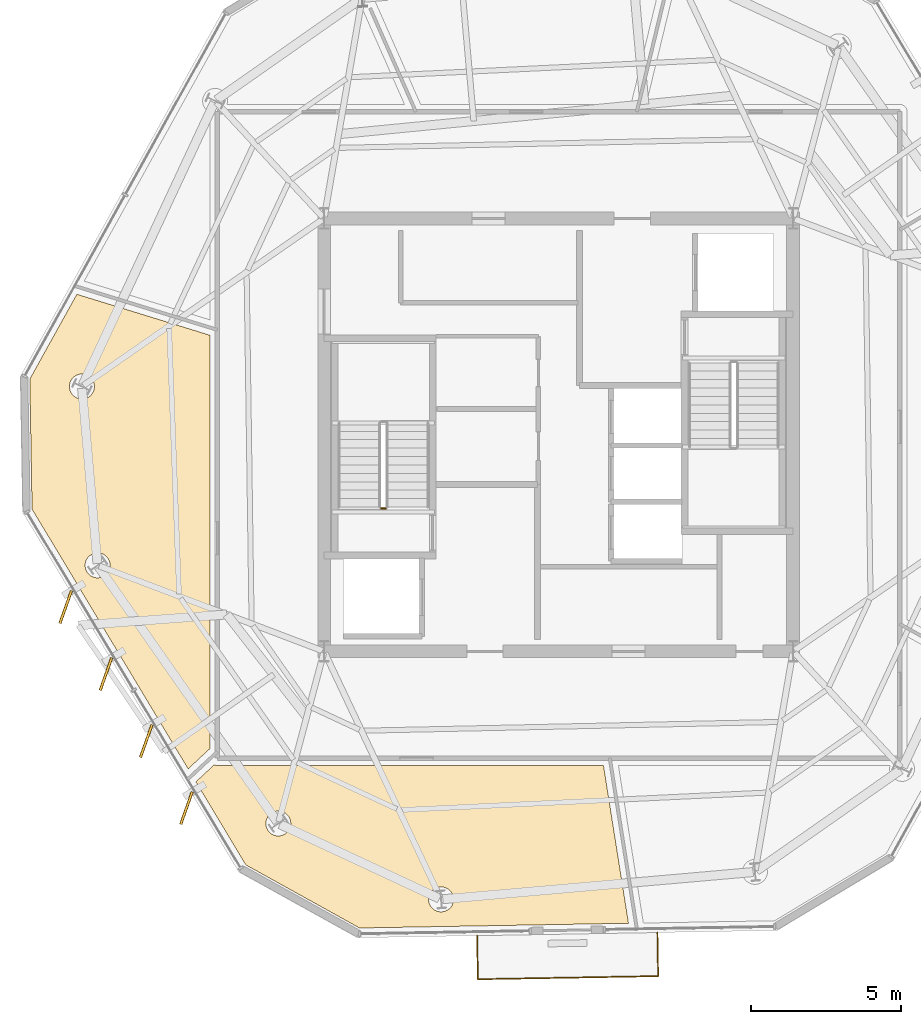
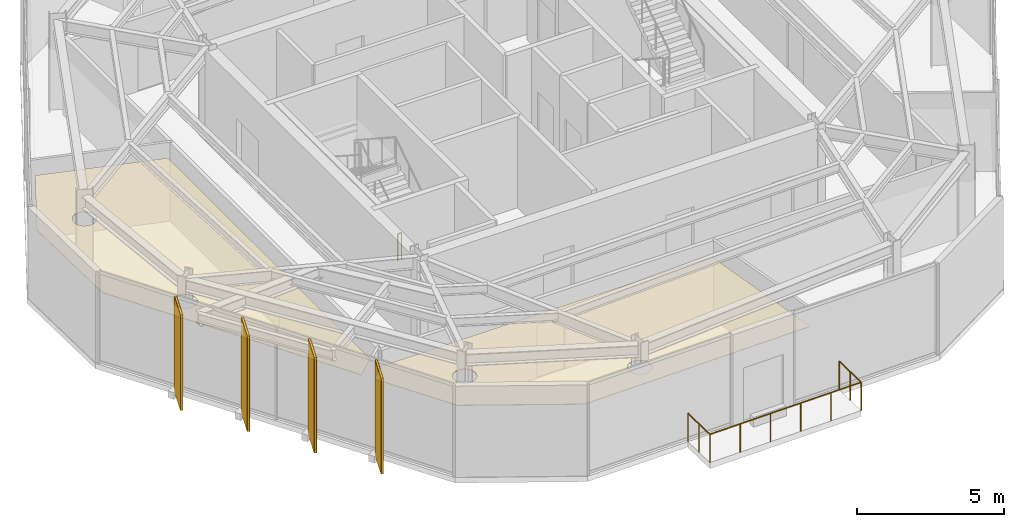
# One storey, part 9 of 12: 6 coverings, 4 shading devices, 2 railings.
"""IFC4 building model written with IfcOpenShell, lengths in metres."""

import ifcopenshell
import ifcopenshell.guid

model = None  # the IFC model being written
_history = None  # IfcOwnerHistory: only IFC2X3 demands one
_inside = {}  # id of a spatial element -> (the spatial element, [elements in it])
_under = {}  # id of a project, library or spatial element -> (it, [spatial elements below it])
_declared = {}  # id of a project -> (the project, [libraries it declares])
_typed = {}  # id of a type object -> (the type object, [elements of that type])
_made_of = {}  # id of a material, layer set ... -> (it, [elements and type objects made of it])


def new_model(schema):
    """Start an empty IFC model of exactly this schema.

    Asked for "IFC4X3", IfcOpenShell would pick the latest addendum, in which some entities
    have other attributes; the version numbers below select the first issue.
    IFC2X3 requires an IfcOwnerHistory on every rooted entity: one is made here for all.
    """
    global model, _history
    if schema == "IFC4X3":
        model = ifcopenshell.file(schema_version=(4, 3, 0, 0))
    else:
        model = ifcopenshell.file(schema=schema)
    _inside.clear()
    _under.clear()
    _declared.clear()
    _typed.clear()
    _made_of.clear()
    _history = None
    if model.schema == "IFC2X3":
        org = make("IfcOrganization", Name="unknown")
        user = make(
            "IfcPersonAndOrganization",
            ThePerson=make("IfcPerson", FamilyName="unknown"),
            TheOrganization=org,
        )
        app = make(
            "IfcApplication",
            ApplicationDeveloper=org,
            Version="unknown",
            ApplicationFullName="unknown",
            ApplicationIdentifier="unknown",
        )
        _history = make(
            "IfcOwnerHistory",
            OwningUser=user,
            OwningApplication=app,
            ChangeAction="ADDED",
            CreationDate=0,
        )
    return model


def make(cls, **values):
    """One entity of the class cls with the attributes given. An attribute that is None is left unset."""
    return model.create_entity(
        cls, **{name: value for name, value in values.items() if value is not None}
    )


def rooted(cls, **values):
    """An entity with a GlobalId (a new one), such as an element, a storey or a relation."""
    return make(cls, GlobalId=ifcopenshell.guid.new(), OwnerHistory=_history, **values)


def si_unit(unit_type, name, prefix=None):
    """IfcSIUnit, for example si_unit("LENGTHUNIT", "METRE", prefix="MILLI")."""
    return make("IfcSIUnit", UnitType=unit_type, Prefix=prefix, Name=name)


def assignment(units):
    """IfcUnitAssignment: the units of a project."""
    return None if units is None else make("IfcUnitAssignment", Units=units)


def point(xyz):
    """IfcCartesianPoint."""
    return None if xyz is None else make("IfcCartesianPoint", Coordinates=xyz)


def direction(xyz):
    """IfcDirection."""
    return None if xyz is None else make("IfcDirection", DirectionRatios=xyz)


def frame(location, z_axis=None, x_axis=None):
    """IfcAxis2Placement3D, a coordinate frame: its origin and axes. An axis left out is left unset."""
    return make(
        "IfcAxis2Placement3D",
        Location=point(location),
        Axis=direction(z_axis),
        RefDirection=direction(x_axis),
    )


def frame_2d(location, x_axis=None):
    """IfcAxis2Placement2D, a coordinate frame in the plane: its origin and x axis."""
    return make(
        "IfcAxis2Placement2D", Location=point(location), RefDirection=direction(x_axis)
    )


def origin():
    """The frame at (0, 0, 0) with its axes left unset."""
    return frame((0.0, 0.0, 0.0))


def origin_2d():
    """The frame at (0, 0) in the plane with its x axis left unset."""
    return frame_2d((0.0, 0.0))


def place(relative_to, where):
    """IfcLocalPlacement: puts the frame where relative to a parent placement (None: the world)."""
    return make(
        "IfcLocalPlacement", PlacementRelTo=relative_to, RelativePlacement=where
    )


def context(
    kind, dimensions, precision=None, world=None, true_north=None, identifier=None
):
    """IfcGeometricRepresentationContext, for example the 3D "Model" context."""
    return make(
        "IfcGeometricRepresentationContext",
        ContextIdentifier=identifier,
        ContextType=kind,
        CoordinateSpaceDimension=dimensions,
        Precision=precision,
        WorldCoordinateSystem=world,
        TrueNorth=true_north,
    )


def subcontext(parent, identifier, kind, view, scale=None):
    """IfcGeometricRepresentationSubContext, for example "Body" below "Model"."""
    return make(
        "IfcGeometricRepresentationSubContext",
        ContextIdentifier=identifier,
        ContextType=kind,
        ParentContext=parent,
        TargetScale=scale,
        TargetView=view,
    )


def project(units=None, contexts=None):
    """IfcProject with its units and contexts."""
    return rooted(
        "IfcProject",
        Name="project",
        RepresentationContexts=contexts,
        UnitsInContext=assignment(units),
    )


def spatial(cls, under=None, at=None, **own):
    """A site, building, storey or space (cls), placed at a placement, below another one or the project."""
    s = rooted(cls, ObjectPlacement=at, **own)
    if under is not None:
        _under.setdefault(under.id(), (under, []))[1].append(s)
    return s


def polyline(points):
    """IfcPolyline through the points."""
    return make("IfcPolyline", Points=[point(p) for p in points])


def profile(cls, at=None, kind="AREA", **sizes):
    """A parametric profile (cls). Its sizes go by their IFC names, for example OverallWidth=200.0."""
    return make(cls, ProfileType=kind, Position=at, **sizes)


def rectangle(**sizes):
    """IfcRectangleProfileDef."""
    return profile("IfcRectangleProfileDef", **sizes)


def circle(**sizes):
    """IfcCircleProfileDef."""
    return profile("IfcCircleProfileDef", **sizes)


def outline(outer, holes=None, kind="AREA"):
    """IfcArbitraryClosedProfileDef: a profile drawn as a closed curve; with holes, ...WithVoids."""
    if holes is None:
        return make("IfcArbitraryClosedProfileDef", ProfileType=kind, OuterCurve=outer)
    return make(
        "IfcArbitraryProfileDefWithVoids",
        ProfileType=kind,
        OuterCurve=outer,
        InnerCurves=holes,
    )


def extrude(swept, where, along, depth):
    """IfcExtrudedAreaSolid: the profile swept, set in the frame where, extruded along a direction by depth."""
    return make(
        "IfcExtrudedAreaSolid",
        SweptArea=swept,
        Position=where,
        ExtrudedDirection=direction(along),
        Depth=depth,
    )


def shape(context_of_items, identifier, shape_type, items):
    """IfcShapeRepresentation: the items that make up one representation, for example the "Body"."""
    return make(
        "IfcShapeRepresentation",
        ContextOfItems=context_of_items,
        RepresentationIdentifier=identifier,
        RepresentationType=shape_type,
        Items=items,
    )


def material(Name=None, Category=None):
    """IfcMaterial."""
    return make("IfcMaterial", Name=Name, Category=Category)


def layer(
    of_material, thickness, ventilated=None, Name=None, Category=None, Priority=None
):
    """IfcMaterialLayer: one layer of a wall or slab, of a material (None: an air gap)."""
    return make(
        "IfcMaterialLayer",
        Material=of_material,
        LayerThickness=thickness,
        IsVentilated=ventilated,
        Name=Name,
        Category=Category,
        Priority=Priority,
    )


def layer_set(layers, Name=None):
    """IfcMaterialLayerSet."""
    return make("IfcMaterialLayerSet", MaterialLayers=layers, LayerSetName=Name)


def made_of(thing, what):
    """Note that an element or type object is made of a material, layer set ...; save() writes the relation."""
    if what is not None:
        _made_of.setdefault(what.id(), (what, []))[1].append(thing)
    return thing


def type_object(cls, material=None, **own):
    """A type object (cls), such as IfcWallType, which elements share."""
    return made_of(rooted(cls, **own), material)


def element(
    cls,
    number,
    at=None,
    inside=None,
    cuts=None,
    type_object=None,
    material=None,
    context=None,
    identifier="Body",
    shape_type=None,
    held_by="IfcProductDefinitionShape",
    body=None,
    shapes=None,
    **own,
):
    """One element of the class cls, such as IfcWall. Its Tag is "e" and its number.

    at: its placement. inside: the storey or other place that contains it. cuts: it is an
    opening in that element (IfcRelVoidsElement). A single representation is given by context,
    identifier, shape_type and body (its items); several are given by shapes. held_by: the class
    of the entity that holds the representations. save() writes the other relations.
    """
    e = rooted(cls, Tag="e%d" % number, ObjectPlacement=at, **own)
    if body is not None:
        shapes = [shape(context, identifier, shape_type, body)]
    if shapes is not None:
        e.Representation = make(held_by, Representations=shapes)
    if inside is not None:
        _inside.setdefault(inside.id(), (inside, []))[1].append(e)
    if cuts is not None:
        rooted(
            "IfcRelVoidsElement", RelatingBuildingElement=cuts, RelatedOpeningElement=e
        )
    if type_object is not None:
        _typed.setdefault(type_object.id(), (type_object, []))[1].append(e)
    return made_of(e, material)


def aggregate(whole, parts):
    """IfcRelAggregates: a whole, such as a stair, and the parts it consists of."""
    return rooted("IfcRelAggregates", RelatingObject=whole, RelatedObjects=parts)


def save(model, path):
    """Write the relations noted so far, then the file.

    IfcRelAggregates (storeys below a building ...), IfcRelContainedInSpatialStructure (elements
    in a storey), IfcRelDefinesByType, IfcRelAssociatesMaterial and IfcRelDeclares: one each for
    every whole, place, type object, material and project.
    """
    for whole, parts in _under.values():
        aggregate(whole, parts)
    for where, things in _inside.values():
        rooted(
            "IfcRelContainedInSpatialStructure",
            RelatedElements=things,
            RelatingStructure=where,
        )
    for kind, things in _typed.values():
        rooted("IfcRelDefinesByType", RelatedObjects=things, RelatingType=kind)
    for what, things in _made_of.values():
        rooted("IfcRelAssociatesMaterial", RelatedObjects=things, RelatingMaterial=what)
    for by, libraries in _declared.values():
        rooted("IfcRelDeclares", RelatingContext=by, RelatedDefinitions=libraries)
    model.write(path)


model = new_model("IFC4")

# Units and contexts
model_context = context("Model", 3, precision=1e-05, world=origin(), true_north=direction((0.0, 1.0)))
body_context = subcontext(model_context, "Body", "Model", "MODEL_VIEW")
ifc_project = project(units=[si_unit("LENGTHUNIT", "METRE"), si_unit("AREAUNIT", "SQUARE_METRE"), si_unit("VOLUMEUNIT", "CUBIC_METRE"), si_unit("PLANEANGLEUNIT", "RADIAN"), si_unit("MASSUNIT", "GRAM", prefix="KILO")], contexts=[model_context])

# Site, building, storey
site_placement = place(None, origin())
site = spatial("IfcSite", under=ifc_project, at=site_placement, CompositionType="ELEMENT")
building_placement = place(site_placement, origin())
building = spatial("IfcBuilding", under=site, at=building_placement, Name="Kranzbogen Civic Tower", CompositionType="ELEMENT")
storey_placement = place(building_placement, frame((0.0, 0.0, 270.199951171875)))
storey = spatial("IfcBuildingStorey", under=building, at=storey_placement, Name="L65", CompositionType="ELEMENT", Elevation=270.199951171875)

# Coverings
ifc_material_1 = material(Name="Pale Anodised Aluminium", Category="aluminium")
ifc_layer_1 = layer(ifc_material_1, 0.02490234375, Name="Pale Anodised Aluminium")
ifc_layer_set_1 = layer_set([ifc_layer_1], Name="Pale Anodised Aluminium")
covering_type_1 = type_object("IfcCoveringType", Name="Anodised Aluminium Vertical Fin Cladding 25 mm", PredefinedType="CLADDING", material=ifc_layer_set_1)
for number, where, z_axis, x_axis, name in (
    (1, (8.60498046875, 19.27294921875, -0.139892578125), (0.0, 0.0, 1.0), (-0.334596447491, -0.942361510953, 0.0), "L65 vertical fin pale-metal cladding F3-1"),
    (2, (9.944091796875, 17.0439453125, -0.139892578125), (0.0, 0.0, 1.0), (-0.334596447491, -0.942361510953, 0.0), "L65 vertical fin pale-metal cladding F3-2"),
    (3, (11.283935546875, 14.81591796875, -0.139892578125), (0.0, 0.0, 1.0), (-0.334596447491, -0.942361510953, 0.0), "L65 vertical fin pale-metal cladding F3-3"),
    (4, (12.623046875, 12.5869140625, -0.139892578125), (0.0, 0.0, 1.0), (-0.334596447491, -0.942361510953, 0.0), "L65 vertical fin pale-metal cladding F3-4"),
):
    element("IfcCovering", number, at=place(storey_placement, frame(where, z_axis=z_axis, x_axis=x_axis)), inside=storey, type_object=covering_type_1, Name=name, PredefinedType="CLADDING", context=body_context, shape_type="SweptSolid", body=[
        extrude(rectangle(XDim=1.14990234375, YDim=0.094970703125, at=origin_2d()), origin(), (0.0, 0.0, 1.0), 3.9599609375),
    ])

# Railings
ifc_material_2 = material(Name="Anodised Bronze Aluminium", Category="aluminium")
railing_type_1 = type_object("IfcRailingType", Name="Cantilevered Balcony Glass and Bronze Balustrade 1200", PredefinedType="BALUSTRADE", material=ifc_material_2)
railing_1_placement = place(storey_placement, frame((22.2900390625, 8.342041015625, 0.0)))
element("IfcRailing", 5, at=railing_1_placement, inside=storey, type_object=railing_type_1, Name="L65 exterior terrace balustrade L65-TB1", PredefinedType="BALUSTRADE", context=body_context, shape_type="SweptSolid", body=[
    extrude(circle(Radius=0.02392578125, at=origin_2d()), frame((0.0, 0.0, 1.17578125), z_axis=(0.017172076107, -0.99985254903, 0.0), x_axis=(0.99985254903, 0.017172076107, 0.0)), (0.0, 0.0, 1.0), 1.4501953125),
    extrude(circle(Radius=0.02392578125, at=origin_2d()), frame((0.02490234375, -1.449951171875, 1.17578125), z_axis=(0.999849751445, 0.017334201291, 0.0), x_axis=(-0.017334201291, 0.999849751445, 0.0)), (0.0, 0.0, 1.0), 6.0),
    extrude(circle(Radius=0.02392578125, at=origin_2d()), frame((6.02392578125, -1.345947265625, 1.17578125), z_axis=(-0.017172076107, 0.99985254903, 0.0), x_axis=(-0.99985254903, -0.017172076107, 0.0)), (0.0, 0.0, 1.0), 1.4501953125),
    extrude(circle(Radius=0.02099609375, at=origin_2d()), origin(), (0.0, 0.0, 1.0), 1.15185546875),
    extrude(circle(Radius=0.02099609375, at=origin_2d()), frame((0.012451171875, -0.72509765625, 0.0)), (0.0, 0.0, 1.0), 1.15185546875),
    extrude(circle(Radius=0.02099609375, at=origin_2d()), frame((0.02490234375, -1.449951171875, 0.0)), (0.0, 0.0, 1.0), 1.15185546875),
    extrude(circle(Radius=0.02099609375, at=origin_2d()), frame((1.224609375, -1.42919921875, 0.0)), (0.0, 0.0, 1.0), 1.15185546875),
    extrude(circle(Radius=0.02099609375, at=origin_2d()), frame((2.424560546875, -1.408447265625, 0.0)), (0.0, 0.0, 1.0), 1.15185546875),
    extrude(circle(Radius=0.02099609375, at=origin_2d()), frame((3.624267578125, -1.387451171875, 0.0)), (0.0, 0.0, 1.0), 1.15185546875),
    extrude(circle(Radius=0.02099609375, at=origin_2d()), frame((4.82421875, -1.36669921875, 0.0)), (0.0, 0.0, 1.0), 1.15185546875),
    extrude(circle(Radius=0.02099609375, at=origin_2d()), frame((6.02392578125, -1.345947265625, 0.0)), (0.0, 0.0, 1.0), 1.15185546875),
    extrude(circle(Radius=0.02099609375, at=origin_2d()), frame((6.011474609375, -0.62109375, 0.0)), (0.0, 0.0, 1.0), 1.15185546875),
    extrude(circle(Radius=0.02099609375, at=origin_2d()), frame((5.9990234375, 0.10400390625, 0.0)), (0.0, 0.0, 1.0), 1.15185546875),
])
ifc_material_3 = material(Name="Steel S355", Category="steel")
railing_type_2 = type_object("IfcRailingType", Name="Internal Stair and Void Steel Guardrail 1150", PredefinedType="GUARDRAIL", material=ifc_material_3)
railing_2_placement = place(storey_placement, frame((19.25, 22.550048828125, 0.0)))
element("IfcRailing", 6, at=railing_2_placement, inside=storey, type_object=railing_type_2, Name="L65 ST-T1 stair guard 4", PredefinedType="GUARDRAIL", context=body_context, shape_type="SweptSolid", body=[
    extrude(circle(Radius=0.02392578125, at=origin_2d()), frame((0.0, 0.0, 1.1259765625), z_axis=(-1.0, 0.0, 0.0), x_axis=(0.0, -1.0, 0.0)), (0.0, 0.0, 1.0), 0.14990234375),
    extrude(circle(Radius=0.02099609375, at=origin_2d()), origin(), (0.0, 0.0, 1.0), 1.101806640625),
    extrude(circle(Radius=0.02099609375, at=origin_2d()), frame((-0.14990234375, 0.0, 0.0)), (0.0, 0.0, 1.0), 1.101806640625),
])

# Shading devices
shading_device_type = type_object("IfcShadingDeviceType", Name="Pale Anodised Aluminium Crown Fin 1150x75", PredefinedType="USERDEFINED", material=ifc_material_1)
for number, where, z_axis, x_axis, name in (
    (7, (8.60498046875, 19.27294921875, -0.139892578125), (0.0, 0.0, 1.0), (-0.334596447491, -0.942361510953, 0.0), "L65 vertical exterior shading fin F3-1"),
    (8, (9.944091796875, 17.0439453125, -0.139892578125), (0.0, 0.0, 1.0), (-0.334596447491, -0.942361510953, 0.0), "L65 vertical exterior shading fin F3-2"),
    (9, (11.283935546875, 14.81591796875, -0.139892578125), (0.0, 0.0, 1.0), (-0.334596447491, -0.942361510953, 0.0), "L65 vertical exterior shading fin F3-3"),
    (10, (12.623046875, 12.5869140625, -0.139892578125), (0.0, 0.0, 1.0), (-0.334596447491, -0.942361510953, 0.0), "L65 vertical exterior shading fin F3-4"),
):
    element("IfcShadingDevice", number, at=place(storey_placement, frame(where, z_axis=z_axis, x_axis=x_axis)), inside=storey, type_object=shading_device_type, Name=name, ObjectType="FIN", PredefinedType="USERDEFINED", context=body_context, shape_type="SweptSolid", body=[
        extrude(rectangle(XDim=1.14990234375, YDim=0.074951171875, at=origin_2d()), origin(), (0.0, 0.0, 1.0), 3.9599609375),
    ])

# Coverings
ifc_material_4 = material(Name="Perforated Acoustic Gypsum Ceiling")
ifc_layer_2 = layer(ifc_material_4, 0.02490234375, Name="Perforated Acoustic Gypsum Ceiling")
ifc_layer_set_2 = layer_set([ifc_layer_2], Name="Perforated Acoustic Gypsum Ceiling")
covering_type_2 = type_object("IfcCoveringType", Name="Perforated Acoustic Mineral Ceiling Tile 25 mm", PredefinedType="CEILING", material=ifc_layer_set_2)
covering_1_placement = place(storey_placement, frame((0.0, 0.0, 2.75)))
element("IfcCovering", 11, at=covering_1_placement, inside=storey, type_object=covering_type_2, Name="L65 Operations Security Control Room acoustic ceiling", PredefinedType="CEILING", context=body_context, shape_type="SweptSolid", body=[
    extrude(outline(polyline([(7.410888671875, 26.85693359375), (8.97607421875, 29.677978515625), (13.405029296875, 28.31396484375), (13.405029296875, 14.56591796875), (12.677978515625, 13.89111328125), (7.486083984375, 22.531005859375), (7.410888671875, 26.85693359375)]), holes=[polyline([(10.050048828125, 20.501953125), (10.031982421875, 20.465087890625), (10.010986328125, 20.429931640625), (9.987060546875, 20.39697265625), (9.9599609375, 20.366943359375), (9.929931640625, 20.340087890625), (9.89697265625, 20.31591796875), (9.862060546875, 20.294921875), (9.824951171875, 20.277099609375), (9.787109375, 20.262939453125), (9.7470703125, 20.25390625), (9.70703125, 20.248046875), (9.666015625, 20.24609375), (9.625, 20.248046875), (9.5849609375, 20.25390625), (9.544921875, 20.262939453125), (9.507080078125, 20.277099609375), (9.469970703125, 20.294921875), (9.43505859375, 20.31591796875), (9.402099609375, 20.340087890625), (9.3720703125, 20.366943359375), (9.344970703125, 20.39697265625), (9.321044921875, 20.429931640625), (9.300048828125, 20.465087890625), (9.281982421875, 20.501953125), (9.26806640625, 20.5400390625), (9.259033203125, 20.580078125), (9.2529296875, 20.6201171875), (9.2509765625, 20.660888671875), (9.2529296875, 20.701904296875), (9.259033203125, 20.741943359375), (9.26806640625, 20.781982421875), (9.281982421875, 20.820068359375), (9.300048828125, 20.85693359375), (9.321044921875, 20.89208984375), (9.344970703125, 20.925048828125), (9.3720703125, 20.955078125), (9.402099609375, 20.98193359375), (9.43505859375, 21.006103515625), (9.469970703125, 21.027099609375), (9.507080078125, 21.044921875), (9.544921875, 21.05908203125), (9.5849609375, 21.068115234375), (9.625, 21.073974609375), (9.666015625, 21.075927734375), (9.70703125, 21.073974609375), (9.7470703125, 21.068115234375), (9.787109375, 21.05908203125), (9.824951171875, 21.044921875), (9.862060546875, 21.027099609375), (9.89697265625, 21.006103515625), (9.929931640625, 20.98193359375), (9.9599609375, 20.955078125), (9.987060546875, 20.925048828125), (10.010986328125, 20.89208984375), (10.031982421875, 20.85693359375), (10.050048828125, 20.820068359375), (10.06396484375, 20.781982421875), (10.072998046875, 20.741943359375), (10.0791015625, 20.701904296875), (10.0810546875, 20.660888671875), (10.0791015625, 20.6201171875), (10.072998046875, 20.580078125), (10.06396484375, 20.5400390625), (10.050048828125, 20.501953125)]), polyline([(9.529052734375, 26.450927734375), (9.510986328125, 26.4140625), (9.489990234375, 26.37890625), (9.466064453125, 26.345947265625), (9.43896484375, 26.31591796875), (9.408935546875, 26.2890625), (9.3759765625, 26.264892578125), (9.341064453125, 26.243896484375), (9.303955078125, 26.22607421875), (9.26611328125, 26.2119140625), (9.22607421875, 26.202880859375), (9.18603515625, 26.197021484375), (9.14501953125, 26.195068359375), (9.10400390625, 26.197021484375), (9.06396484375, 26.202880859375), (9.02392578125, 26.2119140625), (8.986083984375, 26.22607421875), (8.948974609375, 26.243896484375), (8.9140625, 26.264892578125), (8.881103515625, 26.2890625), (8.85107421875, 26.31591796875), (8.823974609375, 26.345947265625), (8.800048828125, 26.37890625), (8.779052734375, 26.4140625), (8.760986328125, 26.450927734375), (8.7470703125, 26.489013671875), (8.738037109375, 26.529052734375), (8.73193359375, 26.569091796875), (8.72998046875, 26.610107421875), (8.73193359375, 26.65087890625), (8.738037109375, 26.69091796875), (8.7470703125, 26.73095703125), (8.760986328125, 26.76904296875), (8.779052734375, 26.805908203125), (8.800048828125, 26.841064453125), (8.823974609375, 26.8740234375), (8.85107421875, 26.904052734375), (8.881103515625, 26.930908203125), (8.9140625, 26.955078125), (8.948974609375, 26.97607421875), (8.986083984375, 26.993896484375), (9.02392578125, 27.008056640625), (9.06396484375, 27.01708984375), (9.10400390625, 27.02294921875), (9.14501953125, 27.02490234375), (9.18603515625, 27.02294921875), (9.22607421875, 27.01708984375), (9.26611328125, 27.008056640625), (9.303955078125, 26.993896484375), (9.341064453125, 26.97607421875), (9.3759765625, 26.955078125), (9.408935546875, 26.930908203125), (9.43896484375, 26.904052734375), (9.466064453125, 26.8740234375), (9.489990234375, 26.841064453125), (9.510986328125, 26.805908203125), (9.529052734375, 26.76904296875), (9.54296875, 26.73095703125), (9.552001953125, 26.69091796875), (9.55810546875, 26.65087890625), (9.56005859375, 26.610107421875), (9.55810546875, 26.569091796875), (9.552001953125, 26.529052734375), (9.54296875, 26.489013671875), (9.529052734375, 26.450927734375)])]), origin(), (0.0, 0.0, 1.0), 0.025146484375),
])
covering_2_placement = place(storey_placement, frame((0.0, 0.0, 2.75)))
element("IfcCovering", 12, at=covering_2_placement, inside=storey, type_object=covering_type_2, Name="L65 Central Mail Post Room acoustic ceiling", PredefinedType="CEILING", context=body_context, shape_type="SweptSolid", body=[
    extrude(outline(polyline([(13.548095703125, 14.027099609375), (13.56396484375, 14.02001953125), (13.570068359375, 14.01806640625), (13.5869140625, 14.012939453125), (13.593994140625, 14.011962890625), (13.611083984375, 14.008056640625), (13.616943359375, 14.007080078125), (13.635009765625, 14.006103515625), (13.64111328125, 14.0048828125), (13.64990234375, 14.0048828125), (26.493896484375, 14.0048828125), (27.325927734375, 8.7548828125), (18.381103515625, 8.597900390625), (14.597900390625, 10.696044921875), (12.93603515625, 13.4609375), (13.5458984375, 14.028076171875), (13.548095703125, 14.027099609375)]), holes=[polyline([(21.47509765625, 9.39111328125), (21.45703125, 9.35400390625), (21.43603515625, 9.319091796875), (21.412109375, 9.285888671875), (21.385009765625, 9.256103515625), (21.35498046875, 9.22900390625), (21.322021484375, 9.205078125), (21.287109375, 9.18408203125), (21.25, 9.166015625), (21.2119140625, 9.152099609375), (21.172119140625, 9.14306640625), (21.132080078125, 9.136962890625), (21.091064453125, 9.135009765625), (21.050048828125, 9.136962890625), (21.010009765625, 9.14306640625), (20.969970703125, 9.152099609375), (20.931884765625, 9.166015625), (20.89501953125, 9.18408203125), (20.860107421875, 9.205078125), (20.826904296875, 9.22900390625), (20.797119140625, 9.256103515625), (20.77001953125, 9.285888671875), (20.74609375, 9.319091796875), (20.72509765625, 9.35400390625), (20.70703125, 9.39111328125), (20.693115234375, 9.428955078125), (20.68408203125, 9.468994140625), (20.677978515625, 9.509033203125), (20.676025390625, 9.550048828125), (20.677978515625, 9.591064453125), (20.68408203125, 9.631103515625), (20.693115234375, 9.6708984375), (20.70703125, 9.708984375), (20.72509765625, 9.74609375), (20.74609375, 9.781005859375), (20.77001953125, 9.81396484375), (20.797119140625, 9.843994140625), (20.826904296875, 9.87109375), (20.860107421875, 9.89501953125), (20.89501953125, 9.916015625), (20.931884765625, 9.93408203125), (20.969970703125, 9.947998046875), (21.010009765625, 9.95703125), (21.050048828125, 9.962890625), (21.091064453125, 9.965087890625), (21.132080078125, 9.962890625), (21.172119140625, 9.95703125), (21.2119140625, 9.947998046875), (21.25, 9.93408203125), (21.287109375, 9.916015625), (21.322021484375, 9.89501953125), (21.35498046875, 9.87109375), (21.385009765625, 9.843994140625), (21.412109375, 9.81396484375), (21.43603515625, 9.781005859375), (21.45703125, 9.74609375), (21.47509765625, 9.708984375), (21.489013671875, 9.6708984375), (21.498046875, 9.631103515625), (21.50390625, 9.591064453125), (21.506103515625, 9.550048828125), (21.50390625, 9.509033203125), (21.498046875, 9.468994140625), (21.489013671875, 9.428955078125), (21.47509765625, 9.39111328125)]), polyline([(16.06201171875, 11.9150390625), (16.0439453125, 11.8779296875), (16.02294921875, 11.843017578125), (15.9990234375, 11.81005859375), (15.971923828125, 11.780029296875), (15.94189453125, 11.7529296875), (15.908935546875, 11.72900390625), (15.8740234375, 11.7080078125), (15.8369140625, 11.68994140625), (15.799072265625, 11.676025390625), (15.759033203125, 11.6669921875), (15.718994140625, 11.660888671875), (15.677978515625, 11.658935546875), (15.636962890625, 11.660888671875), (15.596923828125, 11.6669921875), (15.556884765625, 11.676025390625), (15.51904296875, 11.68994140625), (15.48193359375, 11.7080078125), (15.447021484375, 11.72900390625), (15.4140625, 11.7529296875), (15.384033203125, 11.780029296875), (15.35693359375, 11.81005859375), (15.3330078125, 11.843017578125), (15.31201171875, 11.8779296875), (15.2939453125, 11.9150390625), (15.280029296875, 11.952880859375), (15.27099609375, 11.992919921875), (15.264892578125, 12.032958984375), (15.262939453125, 12.073974609375), (15.264892578125, 12.114990234375), (15.27099609375, 12.155029296875), (15.280029296875, 12.195068359375), (15.2939453125, 12.23291015625), (15.31201171875, 12.27001953125), (15.3330078125, 12.304931640625), (15.35693359375, 12.337890625), (15.384033203125, 12.367919921875), (15.4140625, 12.39501953125), (15.447021484375, 12.4189453125), (15.48193359375, 12.43994140625), (15.51904296875, 12.4580078125), (15.556884765625, 12.471923828125), (15.596923828125, 12.48095703125), (15.636962890625, 12.487060546875), (15.677978515625, 12.489013671875), (15.718994140625, 12.487060546875), (15.759033203125, 12.48095703125), (15.799072265625, 12.471923828125), (15.8369140625, 12.4580078125), (15.8740234375, 12.43994140625), (15.908935546875, 12.4189453125), (15.94189453125, 12.39501953125), (15.971923828125, 12.367919921875), (15.9990234375, 12.337890625), (16.02294921875, 12.304931640625), (16.0439453125, 12.27001953125), (16.06201171875, 12.23291015625), (16.075927734375, 12.195068359375), (16.0849609375, 12.155029296875), (16.091064453125, 12.114990234375), (16.093017578125, 12.073974609375), (16.091064453125, 12.032958984375), (16.0849609375, 11.992919921875), (16.075927734375, 11.952880859375), (16.06201171875, 11.9150390625)])]), origin(), (0.0, 0.0, 1.0), 0.025146484375),
])

save(model, "model.ifc")
